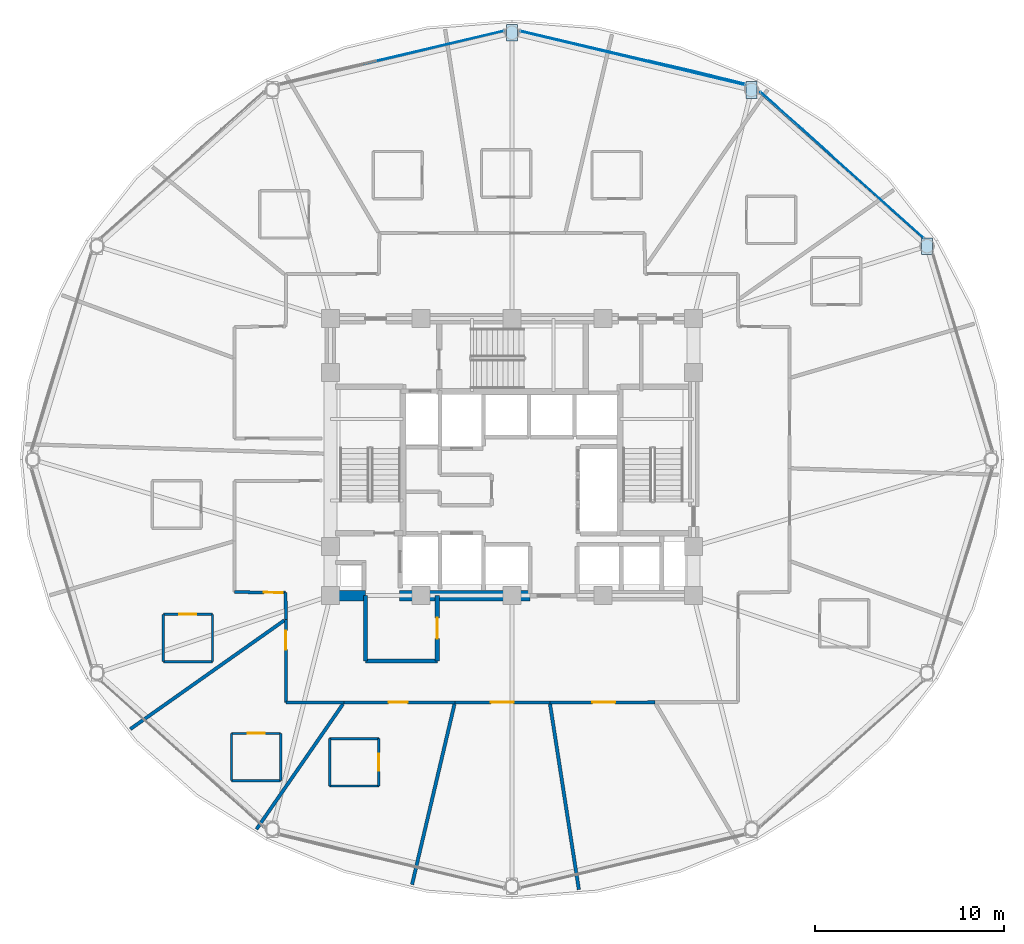
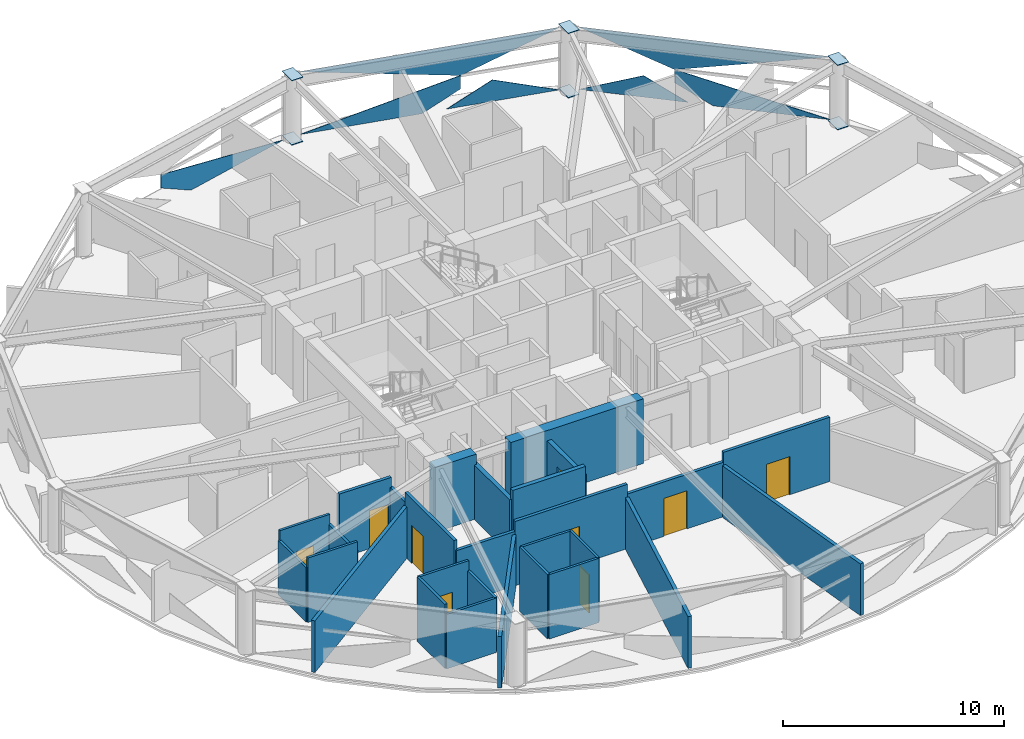
# One storey, part 23 of 31: 28 walls, 13 plates, 9 doors, 9 openings, 3 elements without a shape of their own.
"""IFC4 building model written with IfcOpenShell, lengths in metres."""

from ifc_helpers import new_model, si_unit, direction, frame, frame_2d, origin, place, context, subcontext, project, spatial, polyline, rectangle, outline, extrude, material, layer, layer_set, type_object, element, fill, aggregate, save


model = new_model("IFC4")

# Units and contexts
model_context = context("Model", 3, precision=1e-05, world=origin(), true_north=direction((0.0, 1.0)))
body_context = subcontext(model_context, "Body", "Model", "MODEL_VIEW")
ifc_project = project(units=[si_unit("LENGTHUNIT", "METRE"), si_unit("AREAUNIT", "SQUARE_METRE"), si_unit("VOLUMEUNIT", "CUBIC_METRE"), si_unit("PLANEANGLEUNIT", "RADIAN"), si_unit("MASSUNIT", "GRAM", prefix="KILO")], contexts=[model_context])

# Site, building, storey
site_placement = place(None, origin())
site = spatial("IfcSite", under=ifc_project, at=site_placement, CompositionType="ELEMENT")
building_placement = place(site_placement, origin())
building = spatial("IfcBuilding", under=site, at=building_placement, Name="Vantalir Tower", CompositionType="ELEMENT")
storey_placement = place(building_placement, frame((0.0, 0.0, 115.949951171875)))
storey = spatial("IfcBuildingStorey", under=building, at=storey_placement, Name="L28", CompositionType="ELEMENT", Elevation=115.949951171875)

# Curtain wall, plates
ifc_material_1 = material(Name="Champagne-silver PVDF aluminium and double-silver Low-E glass", Category="aluminium")
ifc_layer_1 = layer(ifc_material_1, 0.199951171875)
ifc_layer_set_1 = layer_set([ifc_layer_1], Name="Champagne-silver PVDF aluminium and double-silver Low-E glass")
curtain_wall_type = type_object("IfcCurtainWallType", Name="CW-DIAMOND-Z2", PredefinedType="USERDEFINED", material=ifc_layer_set_1)
curtain_wall_1_placement = place(storey_placement, origin())
curtain_wall_1 = element("IfcCurtainWall", 1, at=curtain_wall_1_placement, inside=storey, type_object=curtain_wall_type, Name="L28 Quilted Pyramid-Diamond Curtain Wall S02", ObjectType="UNITISED CURTAIN WALL", PredefinedType="USERDEFINED")
ifc_material_2 = material(Name="Double-silver Low-E laminated glass IGU", Category="glass")
ifc_layer_2 = layer(ifc_material_2, 0.028076171875)
ifc_layer_set_2 = layer_set([ifc_layer_2], Name="Double-silver Low-E laminated glass IGU")
plate_type_1 = type_object("IfcPlateType", Name="CWP-IGU-28", PredefinedType="CURTAIN_PANEL", material=ifc_layer_set_2)
plate_1_placement = place(storey_placement, frame((53.2705078125, 36.6806640625, 0.04638671875), z_axis=(-0.665290143646, -0.746458857155, 0.013718576517), x_axis=(-0.746528694055, 0.66535321965, 4.5328392e-05)))
plate_1 = element("IfcPlate", 2, at=plate_1_placement, type_object=plate_type_1, Name="CW-L28-S02 Pyramid Diamond Facet 1L", PredefinedType="CURTAIN_PANEL", context=body_context, shape_type="SweptSolid", body=[
    extrude(outline(polyline([(0.0, 0.0), (5.421682594949286, -1.328147661294743e-17), (7.190073092541649, -1.0039189500942471), (7.190220527218833, -1.7268889847502913), (0.0, 0.0)])), origin(), (0.0, 0.0, -1.0), 0.028076171875),
])
plate_2_placement = place(storey_placement, frame((48.382568359375, 41.080078125, 0.046142578125), z_axis=(-0.665294675224, -0.746455386297, 0.013687636298), x_axis=(-0.74652532085, 0.665357005923, 0.0)))
plate_2 = element("IfcPlate", 3, at=plate_2_placement, type_object=plate_type_1, Name="CW-L28-S02 Pyramid Diamond Facet 1L Infill Light", PredefinedType="CURTAIN_PANEL", context=body_context, shape_type="SweptSolid", body=[
    extrude(outline(polyline([(0.0, 0.0), (5.032102317172002, 0.0), (2.051972203277278, -1.1649040501815868), (0.0, 0.0)])), origin(), (0.0, 0.0, -1.0), 0.028076171875),
])
plate_3_placement = place(storey_placement, frame((44.604736328125, 44.404296875, 3.5234375), z_axis=(0.66529752374, 0.746451806469, 0.013744290602), x_axis=(0.746522128378, -0.665360587501, 2.1031755e-05)))
plate_3 = element("IfcPlate", 4, at=plate_3_placement, type_object=plate_type_1, Name="CW-L28-S02 Pyramid Diamond Facet 2U", PredefinedType="CURTAIN_PANEL", context=body_context, shape_type="SweptSolid", body=[
    extrude(outline(polyline([(0.0, 0.0), (11.60819104345454, 4.472333961502706e-18), (4.418012237357074, 1.727062693102279), (0.0, 0.0)])), origin(), (0.0, 0.0, -1.0), 0.028076171875),
])
aggregate(curtain_wall_1, [plate_1, plate_2, plate_3])

curtain_wall_2_placement = place(storey_placement, origin())
curtain_wall_2 = element("IfcCurtainWall", 5, at=curtain_wall_2_placement, inside=storey, type_object=curtain_wall_type, Name="L28 Quilted Pyramid-Diamond Curtain Wall S03", ObjectType="UNITISED CURTAIN WALL", PredefinedType="USERDEFINED")
plate_4_placement = place(storey_placement, frame((37.5185546875, 46.318359375, 0.04638671875), z_axis=(-0.232319339622, -0.972541707156, 0.013796821329), x_axis=(-0.972634283112, 0.232341454147, 8.13e-09)))
plate_4 = element("IfcPlate", 6, at=plate_4_placement, type_object=plate_type_1, Name="CW-L28-S03 Pyramid Diamond Facet 1L", PredefinedType="CURTAIN_PANEL", context=body_context, shape_type="SweptSolid", body=[
    extrude(outline(polyline([(0.0, 0.0), (5.73306201174435, 0.0), (-1.8367177744698786, -1.7274593575446844), (-1.8366121444979258, -0.9976536126287018), (0.0, 0.0)])), origin(), (0.0, 0.0, -1.0), 0.028076171875),
])
plate_5_placement = place(storey_placement, frame((43.830078125, 44.84375, 0.046142578125), z_axis=(-0.232309962933, -0.972544053885, 0.013789284797), x_axis=(-0.972636528964, 0.2323320523, 0.0)))
plate_5 = element("IfcPlate", 7, at=plate_5_placement, type_object=plate_type_1, Name="CW-L28-S03 Pyramid Diamond Facet 1L Infill Light", PredefinedType="CURTAIN_PANEL", context=body_context, shape_type="SweptSolid", body=[
    extrude(outline(polyline([(0.0, 0.0), (5.287757814042398, 0.0), (3.1386969486796428, -1.1671031518248731), (0.0, 0.0)])), origin(), (0.0, 0.0, -1.0), 0.028076171875),
])
plate_6_placement = place(storey_placement, frame((31.9423828125, 47.650390625, 3.523681640625), z_axis=(0.232299697518, 0.972547696452, 0.013705059649), x_axis=(0.972639108939, -0.232321250348, -1.9988062e-05)))
plate_6 = element("IfcPlate", 8, at=plate_6_placement, type_object=plate_type_1, Name="CW-L28-S03 Pyramid Diamond Facet 2U", PredefinedType="CURTAIN_PANEL", context=body_context, shape_type="SweptSolid", body=[
    extrude(outline(polyline([(0.0, 0.0), (12.214321677942559, 1.3552527156068805e-18), (7.569814817392175, 1.727305842677403), (0.0, 0.0)])), origin(), (0.0, 0.0, -1.0), 0.028076171875),
])
aggregate(curtain_wall_2, [plate_4, plate_5, plate_6])

# Curtain wall, plate
curtain_wall_3_placement = place(storey_placement, origin())
curtain_wall_3 = element("IfcCurtainWall", 9, at=curtain_wall_3_placement, inside=storey, type_object=curtain_wall_type, Name="L28 Quilted Pyramid-Diamond Curtain Wall S04", ObjectType="UNITISED CURTAIN WALL", PredefinedType="USERDEFINED")
plate_7_placement = place(storey_placement, frame((31.0576171875, 47.650390625, 0.04638671875), z_axis=(0.232319339622, -0.972541707156, 0.013796821329), x_axis=(-0.972634283112, -0.232341454147, -8.13e-09)))
plate_7 = element("IfcPlate", 10, at=plate_7_placement, type_object=plate_type_1, Name="CW-L28-S04 Pyramid Diamond Facet 1L", PredefinedType="CURTAIN_PANEL", context=body_context, shape_type="SweptSolid", body=[
    extrude(outline(polyline([(0.0, 0.0), (5.73306201174435, 0.0), (7.569674156242275, -0.9976536126287018), (7.569779786214228, -1.7274593575446844), (0.0, 0.0)])), origin(), (0.0, 0.0, -1.0), 0.028076171875),
])
aggregate(curtain_wall_3, [plate_7])

# Plates
ifc_material_3 = material(Name="Steel S460", Category="steel")
ifc_layer_3 = layer(ifc_material_3, 0.035888671875)
ifc_layer_set_3 = layer_set([ifc_layer_3], Name="Steel S460")
plate_type_2 = type_object("IfcPlateType", Name="PLT-KN-Z2", PredefinedType="USERDEFINED", material=ifc_layer_set_3)
for number, where, z_axis, x_axis, name in (
    (11, (53.155029296875, 36.722900390625, 3.59814453125), (0.0, 0.0, 1.0), (0.0, -1.0, 0.0), "L28 Ring Column Top Cap RC02"),
    (12, (53.155029296875, 36.722900390625, 0.052978515625), (0.0, 0.0, 1.0), (0.0, -1.0, 0.0), "L28 Ring Column Base Cap RC02"),
    (13, (43.8798828125, 44.98291015625, 3.59814453125), (0.0, 0.0, 1.0), (0.0, -1.0, 0.0), "L28 Ring Column Top Cap RC03"),
    (14, (43.8798828125, 44.98291015625, 0.052978515625), (0.0, 0.0, 1.0), (0.0, -1.0, 0.0), "L28 Ring Column Base Cap RC03"),
):
    element("IfcPlate", number, at=place(storey_placement, frame(where, z_axis=z_axis, x_axis=x_axis)), inside=storey, type_object=plate_type_2, Name=name, ObjectType="FLANGE_PLATE", PredefinedType="USERDEFINED", context=body_context, shape_type="SweptSolid", body=[
        extrude(outline(polyline([(0.0, 0.0), (0.8798828125, 0.0), (0.8798828125, 0.580078125), (0.0, 0.580078125), (0.0, 0.0)])), origin(), (0.0, 0.0, -1.0), 0.035888671875),
    ])
for number, where, z_axis, x_axis, name in (
    (15, (31.2099609375, 48.006103515625, 3.59814453125), (0.0, 0.0, 1.0), (0.0, -1.0, 0.0), "L28 Ring Column Top Cap RC04"),
    (16, (31.2099609375, 48.006103515625, 0.052978515625), (0.0, 0.0, 1.0), (0.0, -1.0, 0.0), "L28 Ring Column Base Cap RC04"),
):
    element("IfcPlate", number, at=place(storey_placement, frame(where, z_axis=z_axis, x_axis=x_axis)), inside=storey, type_object=plate_type_2, Name=name, ObjectType="FLANGE_PLATE", PredefinedType="USERDEFINED", context=body_context, shape_type="SweptSolid", body=[
        extrude(outline(polyline([(0.0, 0.0), (0.880126953125, 0.0), (0.880126953125, 0.580078125), (0.0, 0.580078125), (0.0, 0.0)])), origin(), (0.0, 0.0, -1.0), 0.035888671875),
    ])

# Wall
ifc_material_4 = material(Name="Moisture-resistant en-suite partition", Category="gypsum")
ifc_layer_4 = layer(ifc_material_4, 0.125)
ifc_layer_set_4 = layer_set([ifc_layer_4], Name="Moisture-resistant en-suite partition")
wall_type_1 = type_object("IfcWallType", Name="WL-BATH-125", PredefinedType="PARTITIONING", material=ifc_layer_set_4)
wall_1_placement = place(storey_placement, frame((13.06591796875, 14.31689453125, 0.0), z_axis=(0.0, 0.0, 1.0), x_axis=(1.0, 0.0, 0.0)))
element("IfcWall", 17, at=wall_1_placement, inside=storey, type_object=wall_type_1, Name="L28 En-suite 10 South Wall", PredefinedType="PARTITIONING", context=body_context, shape_type="SweptSolid", body=[
    extrude(rectangle(XDim=2.60009765625, YDim=0.125, at=frame_2d((1.300048828125, 0.0))), origin(), (0.0, 0.0, 1.0), 3.550048828125),
])

# Wall, opening, door
wall_2_placement = place(storey_placement, frame((13.06591796875, 16.81689453125, 0.0), z_axis=(0.0, 0.0, 1.0), x_axis=(1.0, 0.0, 0.0)))
wall_2 = element("IfcWall", 18, at=wall_2_placement, inside=storey, type_object=wall_type_1, Name="L28 En-suite 10 North Wall", PredefinedType="PARTITIONING", context=body_context, shape_type="SweptSolid", body=[
    extrude(rectangle(XDim=2.60009765625, YDim=0.125, at=frame_2d((1.300048828125, 0.0))), origin(), (0.0, 0.0, 1.0), 3.550048828125),
])
opening_1_placement = place(wall_2_placement, frame((0.85009765625, 0.0, 0.0)))
opening_1 = element("IfcOpeningElement", 19, at=opening_1_placement, cuts=wall_2, Name="Opening D-WC", PredefinedType="OPENING", context=body_context, shape_type="SweptSolid", body=[
    extrude(rectangle(XDim=0.89990234375, YDim=2.10009765625, at=frame_2d((0.449951171875, 1.050048828125))), frame((0.0, 0.072509765625, 0.0), z_axis=(0.0, -1.0, 0.0), x_axis=(1.0, 0.0, 0.0)), (0.0, 0.0, 1.0), 0.14501953125),
])
ifc_material_5 = material(Name="Moisture-resistant hardwood door", Category="wood")
door_type_1 = type_object("IfcDoorType", Name="DR-ENSUITE-900", OperationType="NOTDEFINED", PredefinedType="DOOR", material=ifc_material_5)
door_1_placement = place(opening_1_placement, frame((0.89990234375, 0.0, 0.0), z_axis=(0.0, 0.0, 1.0), x_axis=(-1.0, 0.0, 0.0)))
door_1 = element("IfcDoor", 20, at=door_1_placement, inside=storey, type_object=door_type_1, Name="L28 En-suite 10 Door", OperationType="SINGLE_SWING_LEFT", OverallHeight=2.10009765625, OverallWidth=0.89990234375, PredefinedType="DOOR", context=body_context, shape_type="SweptSolid", body=[
    extrude(rectangle(XDim=0.89990234375, YDim=2.10009765625, at=frame_2d((0.449951171875, 1.050048828125))), frame((0.0, 0.02490234375, 0.0), z_axis=(0.0, -1.0, 0.0), x_axis=(1.0, 0.0, 0.0)), (0.0, 0.0, 1.0), 0.050048828125),
])
fill(opening_1, door_1)

# Walls
for number, where, z_axis, x_axis, name in (
    (21, (13.06591796875, 14.31689453125, 0.0), (0.0, 0.0, 1.0), (0.0, 1.0, 0.0), "L28 En-suite 10 West Wall"),
    (22, (15.666015625, 14.31689453125, 0.0), (0.0, 0.0, 1.0), (0.0, 1.0, 0.0), "L28 En-suite 10 East Wall"),
):
    element("IfcWall", number, at=place(storey_placement, frame(where, z_axis=z_axis, x_axis=x_axis)), inside=storey, type_object=wall_type_1, Name=name, PredefinedType="PARTITIONING", context=body_context, shape_type="SweptSolid", body=[
        extrude(rectangle(XDim=2.5, YDim=0.125, at=frame_2d((1.25, 0.0))), origin(), (0.0, 0.0, 1.0), 3.006103515625),
    ])
wall_3_placement = place(storey_placement, frame((16.6708984375, 8.01611328125, 0.0), z_axis=(0.0, 0.0, 1.0), x_axis=(1.0, 0.0, 0.0)))
element("IfcWall", 23, at=wall_3_placement, inside=storey, type_object=wall_type_1, Name="L28 En-suite 11 South Wall", PredefinedType="PARTITIONING", context=body_context, shape_type="SweptSolid", body=[
    extrude(rectangle(XDim=2.60009765625, YDim=0.125, at=frame_2d((1.300048828125, 0.0))), origin(), (0.0, 0.0, 1.0), 3.006103515625),
])

# Wall, opening, door
wall_4_placement = place(storey_placement, frame((16.6708984375, 10.51611328125, 0.0), z_axis=(0.0, 0.0, 1.0), x_axis=(1.0, 0.0, 0.0)))
wall_4 = element("IfcWall", 24, at=wall_4_placement, inside=storey, type_object=wall_type_1, Name="L28 En-suite 11 North Wall", PredefinedType="PARTITIONING", context=body_context, shape_type="SweptSolid", body=[
    extrude(rectangle(XDim=2.60009765625, YDim=0.125, at=frame_2d((1.300048828125, 0.0))), origin(), (0.0, 0.0, 1.0), 3.550048828125),
])
opening_2_placement = place(wall_4_placement, frame((0.85009765625, 0.0, 0.0)))
opening_2 = element("IfcOpeningElement", 25, at=opening_2_placement, cuts=wall_4, Name="Opening D-WC", PredefinedType="OPENING", context=body_context, shape_type="SweptSolid", body=[
    extrude(rectangle(XDim=0.89990234375, YDim=2.10009765625, at=frame_2d((0.449951171875, 1.050048828125))), frame((0.0, 0.072509765625, 0.0), z_axis=(0.0, -1.0, 0.0), x_axis=(1.0, 0.0, 0.0)), (0.0, 0.0, 1.0), 0.14501953125),
])
door_2_placement = place(opening_2_placement, frame((0.89990234375, 0.0, 0.0), z_axis=(0.0, 0.0, 1.0), x_axis=(-1.0, 0.0, 0.0)))
door_2 = element("IfcDoor", 26, at=door_2_placement, inside=storey, type_object=door_type_1, Name="L28 En-suite 11 Door", OperationType="SINGLE_SWING_RIGHT", OverallHeight=2.10009765625, OverallWidth=0.89990234375, PredefinedType="DOOR", context=body_context, shape_type="SweptSolid", body=[
    extrude(rectangle(XDim=0.89990234375, YDim=2.10009765625, at=frame_2d((0.449951171875, 1.050048828125))), frame((0.0, 0.02490234375, 0.0), z_axis=(0.0, -1.0, 0.0), x_axis=(1.0, 0.0, 0.0)), (0.0, 0.0, 1.0), 0.050048828125),
])
fill(opening_2, door_2)

# Walls
wall_5_placement = place(storey_placement, frame((16.6708984375, 8.01611328125, 0.0), z_axis=(0.0, 0.0, 1.0), x_axis=(0.0, 1.0, 0.0)))
element("IfcWall", 27, at=wall_5_placement, inside=storey, type_object=wall_type_1, Name="L28 En-suite 11 West Wall", PredefinedType="PARTITIONING", context=body_context, shape_type="SweptSolid", body=[
    extrude(rectangle(XDim=2.5, YDim=0.125, at=frame_2d((1.25, 0.0))), origin(), (0.0, 0.0, 1.0), 3.550048828125),
])
wall_6_placement = place(storey_placement, frame((19.27099609375, 8.01611328125, 0.0), z_axis=(0.0, 0.0, 1.0), x_axis=(0.0, 1.0, 0.0)))
element("IfcWall", 28, at=wall_6_placement, inside=storey, type_object=wall_type_1, Name="L28 En-suite 11 East Wall", PredefinedType="PARTITIONING", context=body_context, shape_type="SweptSolid", body=[
    extrude(rectangle(XDim=2.5, YDim=0.125, at=frame_2d((1.25, 0.0))), origin(), (0.0, 0.0, 1.0), 3.006103515625),
])
for number, where, z_axis, x_axis, name in (
    (29, (21.85693359375, 7.738037109375, 0.0), (0.0, 0.0, 1.0), (1.0, 0.0, 0.0), "L28 En-suite 12 South Wall"),
    (30, (21.85693359375, 10.238037109375, 0.0), (0.0, 0.0, 1.0), (1.0, 0.0, 0.0), "L28 En-suite 12 North Wall"),
):
    element("IfcWall", number, at=place(storey_placement, frame(where, z_axis=z_axis, x_axis=x_axis)), inside=storey, type_object=wall_type_1, Name=name, PredefinedType="PARTITIONING", context=body_context, shape_type="SweptSolid", body=[
        extrude(rectangle(XDim=2.60009765625, YDim=0.125, at=frame_2d((1.300048828125, 0.0))), origin(), (0.0, 0.0, 1.0), 3.550048828125),
    ])
wall_7_placement = place(storey_placement, frame((21.85693359375, 7.738037109375, 0.0), z_axis=(0.0, 0.0, 1.0), x_axis=(0.0, 1.0, 0.0)))
element("IfcWall", 31, at=wall_7_placement, inside=storey, type_object=wall_type_1, Name="L28 En-suite 12 West Wall", PredefinedType="PARTITIONING", context=body_context, shape_type="SweptSolid", body=[
    extrude(rectangle(XDim=2.5, YDim=0.125, at=frame_2d((1.25, 0.0))), origin(), (0.0, 0.0, 1.0), 3.550048828125),
])

# Wall, opening, door
wall_8_placement = place(storey_placement, frame((24.45703125, 7.738037109375, 0.0), z_axis=(0.0, 0.0, 1.0), x_axis=(0.0, 1.0, 0.0)))
wall_8 = element("IfcWall", 32, at=wall_8_placement, inside=storey, type_object=wall_type_1, Name="L28 En-suite 12 East Wall", PredefinedType="PARTITIONING", context=body_context, shape_type="SweptSolid", body=[
    extrude(rectangle(XDim=2.5, YDim=0.125, at=frame_2d((1.25, 0.0))), origin(), (0.0, 0.0, 1.0), 3.550048828125),
])
opening_3_placement = place(wall_8_placement, frame((0.800048828125, 0.0, 0.0)))
opening_3 = element("IfcOpeningElement", 33, at=opening_3_placement, cuts=wall_8, Name="Opening D-WC", PredefinedType="OPENING", context=body_context, shape_type="SweptSolid", body=[
    extrude(rectangle(XDim=0.89990234375, YDim=2.10009765625, at=frame_2d((0.449951171875, 1.050048828125))), frame((0.0, 0.072509765625, 0.0), z_axis=(0.0, -1.0, 0.0), x_axis=(1.0, 0.0, 0.0)), (0.0, 0.0, 1.0), 0.14501953125),
])
door_3_placement = place(opening_3_placement, origin())
door_3 = element("IfcDoor", 34, at=door_3_placement, inside=storey, type_object=door_type_1, Name="L28 En-suite 12 Door", OperationType="SINGLE_SWING_LEFT", OverallHeight=2.10009765625, OverallWidth=0.89990234375, PredefinedType="DOOR", context=body_context, shape_type="SweptSolid", body=[
    extrude(rectangle(XDim=0.89990234375, YDim=2.10009765625, at=frame_2d((0.449951171875, 1.050048828125))), frame((0.0, 0.02490234375, 0.0), z_axis=(0.0, -1.0, 0.0), x_axis=(1.0, 0.0, 0.0)), (0.0, 0.0, 1.0), 0.050048828125),
])
fill(opening_3, door_3)

# Walls
ifc_material_6 = material(Name="Concrete C60/75", Category="concrete")
ifc_layer_5 = layer(ifc_material_6, 0.550048828125)
ifc_layer_set_5 = layer_set([ifc_layer_5], Name="Concrete C60/75")
wall_type_2 = type_object("IfcWallType", Name="WL-CORE-550", PredefinedType="SHEAR", material=ifc_layer_set_5)
wall_9_placement = place(storey_placement, frame((21.625, 17.800048828125, 0.0), z_axis=(0.0, 0.0, 1.0), x_axis=(1.0, 0.0, 0.0)))
element("IfcWall", 35, at=wall_9_placement, inside=storey, type_object=wall_type_2, Name="L28 Core Shear Wall South-West", PredefinedType="SHEAR", context=body_context, shape_type="SweptSolid", body=[
    extrude(rectangle(XDim=2.125, YDim=0.550048828125, at=frame_2d((1.0625, 0.0))), origin(), (0.0, 0.0, 1.0), 3.570068359375),
])
wall_10_placement = place(storey_placement, frame((25.550048828125, 17.800048828125, 0.0), z_axis=(0.0, 0.0, 1.0), x_axis=(1.0, 0.0, 0.0)))
element("IfcWall", 36, at=wall_10_placement, inside=storey, type_object=wall_type_2, Name="L28 Core Shear Wall South-Mid", PredefinedType="SHEAR", context=body_context, shape_type="SweptSolid", body=[
    extrude(rectangle(XDim=6.89990234375, YDim=0.550048828125, at=frame_2d((3.449951171875, 0.0))), origin(), (0.0, 0.0, 1.0), 3.570068359375),
])

# Wall, opening, door
ifc_material_7 = material(Name="Fire-rated hotel corridor acoustic partition", Category="gypsum")
ifc_layer_6 = layer(ifc_material_7, 0.159912109375)
ifc_layer_set_6 = layer_set([ifc_layer_6], Name="Fire-rated hotel corridor acoustic partition")
wall_type_3 = type_object("IfcWallType", Name="WL-CORR-160", PredefinedType="PARTITIONING", material=ifc_layer_set_6)
wall_11_placement = place(storey_placement, frame((39.049072265625, 12.166015625, 0.0), z_axis=(0.0, 0.0, 1.0), x_axis=(-0.999999860825, -0.000527588408, 0.0)))
wall_11 = element("IfcWall", 37, at=wall_11_placement, inside=storey, type_object=wall_type_3, Name="L28 Corridor Partition 24", PredefinedType="PARTITIONING", context=body_context, shape_type="SweptSolid", body=[
    extrude(rectangle(XDim=5.552978515625, YDim=0.159912109375, at=frame_2d((2.7763671875, 0.0))), origin(), (0.0, 0.0, 1.0), 3.550048828125),
])
opening_4_placement = place(wall_11_placement, frame((2.10205078125, 0.0, 0.0)))
opening_4 = element("IfcOpeningElement", 38, at=opening_4_placement, cuts=wall_11, Name="Opening D-STE", PredefinedType="OPENING", context=body_context, shape_type="SweptSolid", body=[
    extrude(rectangle(XDim=1.199951171875, YDim=2.10009765625, at=frame_2d((0.60009765625, 1.050048828125))), frame((0.0, 0.08984375, 0.0), z_axis=(0.0, -1.0, 0.0), x_axis=(1.0, 0.0, 0.0)), (0.0, 0.0, 1.0), 0.179931640625),
])
ifc_material_8 = material(Name="Solid-core teak veneer suite entrance door", Category="wood")
door_type_2 = type_object("IfcDoorType", Name="DR-SUITE-ENTRY-1200", OperationType="NOTDEFINED", PredefinedType="DOOR", material=ifc_material_8)
door_4_placement = place(opening_4_placement, origin())
door_4 = element("IfcDoor", 39, at=door_4_placement, inside=storey, type_object=door_type_2, Name="L28 Executive Sky Boardroom 14 Door", OperationType="SINGLE_SWING_LEFT", OverallHeight=2.10009765625, OverallWidth=1.199951171875, PredefinedType="DOOR", context=body_context, shape_type="SweptSolid", body=[
    extrude(rectangle(XDim=1.199951171875, YDim=2.10009765625, at=frame_2d((0.60009765625, 1.050048828125))), frame((0.0, 0.02490234375, 0.0), z_axis=(0.0, -1.0, 0.0), x_axis=(1.0, 0.0, 0.0)), (0.0, 0.0, 1.0), 0.050048828125),
])
fill(opening_4, door_4)

wall_12_placement = place(storey_placement, frame((33.49609375, 12.1630859375, 0.0), z_axis=(0.0, 0.0, 1.0), x_axis=(-0.999999904022, -0.000438126723, 0.0)))
wall_12 = element("IfcWall", 40, at=wall_12_placement, inside=storey, type_object=wall_type_3, Name="L28 Corridor Partition 25", PredefinedType="PARTITIONING", context=body_context, shape_type="SweptSolid", body=[
    extrude(rectangle(XDim=5.01513671875, YDim=0.159912109375, at=frame_2d((2.507568359375, 0.0))), origin(), (0.0, 0.0, 1.0), 3.006103515625),
])
opening_5_placement = place(wall_12_placement, frame((1.907958984375, 0.0, 0.0)))
opening_5 = element("IfcOpeningElement", 41, at=opening_5_placement, cuts=wall_12, Name="Opening D-STE", PredefinedType="OPENING", context=body_context, shape_type="SweptSolid", body=[
    extrude(rectangle(XDim=1.199951171875, YDim=2.10009765625, at=frame_2d((0.60009765625, 1.050048828125))), frame((0.0, 0.08984375, 0.0), z_axis=(0.0, -1.0, 0.0), x_axis=(1.0, 0.0, 0.0)), (0.0, 0.0, 1.0), 0.179931640625),
])
door_5_placement = place(opening_5_placement, origin())
door_5 = element("IfcDoor", 42, at=door_5_placement, inside=storey, type_object=door_type_2, Name="L28 Club Reading Lounge 13 Door", OperationType="SINGLE_SWING_RIGHT", OverallHeight=2.10009765625, OverallWidth=1.199951171875, PredefinedType="DOOR", context=body_context, shape_type="SweptSolid", body=[
    extrude(rectangle(XDim=1.199951171875, YDim=2.10009765625, at=frame_2d((0.60009765625, 1.050048828125))), frame((0.0, 0.02490234375, 0.0), z_axis=(0.0, -1.0, 0.0), x_axis=(1.0, 0.0, 0.0)), (0.0, 0.0, 1.0), 0.050048828125),
])
fill(opening_5, door_5)

wall_13_placement = place(storey_placement, frame((28.48095703125, 12.160888671875, 0.0), z_axis=(0.0, 0.0, 1.0), x_axis=(-0.999999874896, -0.000500208358, 0.0)))
wall_13 = element("IfcWall", 43, at=wall_13_placement, inside=storey, type_object=wall_type_3, Name="L28 Corridor Partition 26", PredefinedType="PARTITIONING", context=body_context, shape_type="SweptSolid", body=[
    extrude(rectangle(XDim=5.85693359375, YDim=0.159912109375, at=frame_2d((2.928466796875, 0.0))), origin(), (0.0, 0.0, 1.0), 3.550048828125),
])
opening_6_placement = place(wall_13_placement, frame((2.501953125, 0.0, 0.0)))
opening_6 = element("IfcOpeningElement", 44, at=opening_6_placement, cuts=wall_13, Name="Opening D-GUEST", PredefinedType="OPENING", context=body_context, shape_type="SweptSolid", body=[
    extrude(rectangle(XDim=1.0, YDim=2.10009765625, at=frame_2d((0.5, 1.050048828125))), frame((0.0, 0.08984375, 0.0), z_axis=(0.0, -1.0, 0.0), x_axis=(1.0, 0.0, 0.0)), (0.0, 0.0, 1.0), 0.179931640625),
])
ifc_material_9 = material(Name="Solid-core teak veneer acoustic fire door", Category="wood")
door_type_3 = type_object("IfcDoorType", Name="DR-GUEST-ENTRY-1000", OperationType="NOTDEFINED", PredefinedType="DOOR", material=ifc_material_9)
door_6_placement = place(opening_6_placement, origin())
door_6 = element("IfcDoor", 45, at=door_6_placement, inside=storey, type_object=door_type_3, Name="L28 Twin Queen Hotel Room 12 Door", OperationType="SINGLE_SWING_LEFT", OverallHeight=2.10009765625, OverallWidth=1.0, PredefinedType="DOOR", context=body_context, shape_type="SweptSolid", body=[
    extrude(rectangle(XDim=1.0, YDim=2.10009765625, at=frame_2d((0.5, 1.050048828125))), frame((0.0, 0.02490234375, 0.0), z_axis=(0.0, -1.0, 0.0), x_axis=(1.0, 0.0, 0.0)), (0.0, 0.0, 1.0), 0.050048828125),
])
fill(opening_6, door_6)

# Wall
wall_14_placement = place(storey_placement, frame((22.6240234375, 12.157958984375, 0.0), z_axis=(0.0, 0.0, 1.0), x_axis=(-0.999999949441, -0.000317990285, 0.0)))
element("IfcWall", 46, at=wall_14_placement, inside=storey, type_object=wall_type_3, Name="L28 Corridor Partition 27", PredefinedType="PARTITIONING", context=body_context, shape_type="SweptSolid", body=[
    extrude(rectangle(XDim=3.071044921875, YDim=0.159912109375, at=frame_2d((1.53564453125, 0.0))), origin(), (0.0, 0.0, 1.0), 3.006103515625),
])

# Wall, opening, door
wall_15_placement = place(storey_placement, frame((19.552978515625, 12.156982421875, 0.0), z_axis=(0.0, 0.0, 1.0), x_axis=(-0.003166298982, 0.999994987263, 0.0)))
wall_15 = element("IfcWall", 47, at=wall_15_placement, inside=storey, type_object=wall_type_3, Name="L28 Corridor Partition 28", PredefinedType="PARTITIONING", context=body_context, shape_type="SweptSolid", body=[
    extrude(rectangle(XDim=4.39501953125, YDim=0.159912109375, at=frame_2d((2.197509765625, 0.0))), origin(), (0.0, 0.0, 1.0), 3.550048828125),
])
opening_7_placement = place(wall_15_placement, frame((2.7958984375, 0.0, 0.0)))
opening_7 = element("IfcOpeningElement", 48, at=opening_7_placement, cuts=wall_15, Name="Opening D-GUEST", PredefinedType="OPENING", context=body_context, shape_type="SweptSolid", body=[
    extrude(rectangle(XDim=1.0, YDim=2.10009765625, at=frame_2d((0.5, 1.050048828125))), frame((0.0, 0.08984375, 0.0), z_axis=(0.0, -1.0, 0.0), x_axis=(1.0, 0.0, 0.0)), (0.0, 0.0, 1.0), 0.179931640625),
])
door_7_placement = place(opening_7_placement, origin())
door_7 = element("IfcDoor", 49, at=door_7_placement, inside=storey, type_object=door_type_3, Name="L28 Deluxe King Hotel Room 11 Door", OperationType="SINGLE_SWING_RIGHT", OverallHeight=2.10009765625, OverallWidth=1.0, PredefinedType="DOOR", context=body_context, shape_type="SweptSolid", body=[
    extrude(rectangle(XDim=1.0, YDim=2.10009765625, at=frame_2d((0.5, 1.050048828125))), frame((0.0, 0.02490234375, 0.0), z_axis=(0.0, -1.0, 0.0), x_axis=(1.0, 0.0, 0.0)), (0.0, 0.0, 1.0), 0.050048828125),
])
fill(opening_7, door_7)

# Wall
wall_16_placement = place(storey_placement, frame((19.5390625, 16.552001953125, 0.0), z_axis=(0.0, 0.0, 1.0), x_axis=(-0.002947793678, 0.999995655247, 0.0)))
element("IfcWall", 50, at=wall_16_placement, inside=storey, type_object=wall_type_3, Name="L28 Corridor Partition 29", PredefinedType="PARTITIONING", context=body_context, shape_type="SweptSolid", body=[
    extrude(rectangle(XDim=1.407958984375, YDim=0.159912109375, at=frame_2d((0.7041015625, 0.0))), origin(), (0.0, 0.0, 1.0), 3.006103515625),
])

# Wall, opening, door
wall_17_placement = place(storey_placement, frame((19.534912109375, 17.9599609375, 0.0), z_axis=(0.0, 0.0, 1.0), x_axis=(-0.999930566304, 0.011783996418, 0.0)))
wall_17 = element("IfcWall", 51, at=wall_17_placement, inside=storey, type_object=wall_type_3, Name="L28 Corridor Partition 30", PredefinedType="PARTITIONING", context=body_context, shape_type="SweptSolid", body=[
    extrude(rectangle(XDim=2.714111328125, YDim=0.159912109375, at=frame_2d((1.35693359375, 0.0))), origin(), (0.0, 0.0, 1.0), 3.550048828125),
])
opening_8_placement = place(wall_17_placement, frame((0.159912109375, 0.0, 0.0)))
opening_8 = element("IfcOpeningElement", 52, at=opening_8_placement, cuts=wall_17, Name="Opening D-GUEST", PredefinedType="OPENING", context=body_context, shape_type="SweptSolid", body=[
    extrude(rectangle(XDim=1.0, YDim=2.10009765625, at=frame_2d((0.5, 1.050048828125))), frame((0.0, 0.08984375, 0.0), z_axis=(0.0, -1.0, 0.0), x_axis=(1.0, 0.0, 0.0)), (0.0, 0.0, 1.0), 0.179931640625),
])
door_8_placement = place(opening_8_placement, origin())
door_8 = element("IfcDoor", 53, at=door_8_placement, inside=storey, type_object=door_type_3, Name="L28 Deluxe King Hotel Room 10 Door", OperationType="SINGLE_SWING_LEFT", OverallHeight=2.10009765625, OverallWidth=1.0, PredefinedType="DOOR", context=body_context, shape_type="SweptSolid", body=[
    extrude(rectangle(XDim=1.0, YDim=2.10009765625, at=frame_2d((0.5, 1.050048828125))), frame((0.0, 0.02490234375, 0.0), z_axis=(0.0, -1.0, 0.0), x_axis=(1.0, 0.0, 0.0)), (0.0, 0.0, 1.0), 0.050048828125),
])
fill(opening_8, door_8)

# Walls
ifc_material_10 = material(Name="Concrete blockwork with fireboard lining", Category="masonry")
ifc_layer_7 = layer(ifc_material_10, 0.219970703125)
ifc_layer_set_7 = layer_set([ifc_layer_7], Name="Concrete blockwork with fireboard lining")
wall_type_4 = type_object("IfcWallType", Name="WL-FFL-220", PredefinedType="PARTITIONING", material=ifc_layer_set_7)
wall_18_placement = place(storey_placement, frame((23.75, 14.35009765625, 0.0), z_axis=(0.0, 0.0, 1.0), x_axis=(0.0, 1.0, 0.0)))
element("IfcWall", 54, at=wall_18_placement, inside=storey, type_object=wall_type_4, Name="L28 Firefighting Lobby West Outer W", PredefinedType="PARTITIONING", context=body_context, shape_type="SweptSolid", body=[
    extrude(rectangle(XDim=3.449951171875, YDim=0.219970703125, at=frame_2d((1.72509765625, 0.0))), origin(), (0.0, 0.0, 1.0), 3.006103515625),
])
wall_19_placement = place(storey_placement, frame((23.75, 14.35009765625, 0.0), z_axis=(0.0, 0.0, 1.0), x_axis=(1.0, 0.0, 0.0)))
element("IfcWall", 55, at=wall_19_placement, inside=storey, type_object=wall_type_4, Name="L28 Firefighting Lobby West South Wall", PredefinedType="PARTITIONING", context=body_context, shape_type="SweptSolid", body=[
    extrude(rectangle(XDim=3.800048828125, YDim=0.219970703125, at=frame_2d((1.89990234375, 0.0))), origin(), (0.0, 0.0, 1.0), 3.550048828125),
])

# Wall, opening, door
wall_20_placement = place(storey_placement, frame((27.550048828125, 14.35009765625, 0.0), z_axis=(0.0, 0.0, 1.0), x_axis=(0.0, 1.0, 0.0)))
wall_20 = element("IfcWall", 56, at=wall_20_placement, inside=storey, type_object=wall_type_4, Name="L28 Firefighting Lobby West East Wall", PredefinedType="PARTITIONING", context=body_context, shape_type="SweptSolid", body=[
    extrude(rectangle(XDim=3.449951171875, YDim=0.219970703125, at=frame_2d((1.72509765625, 0.0))), origin(), (0.0, 0.0, 1.0), 3.006103515625),
])
opening_9_placement = place(wall_20_placement, frame((1.175048828125, 0.0, 0.0)))
opening_9 = element("IfcOpeningElement", 57, at=opening_9_placement, cuts=wall_20, Name="Opening D-FFL", PredefinedType="OPENING", context=body_context, shape_type="SweptSolid", body=[
    extrude(rectangle(XDim=1.10009765625, YDim=2.10009765625, at=frame_2d((0.550048828125, 1.050048828125))), frame((0.0, 0.119873046875, 0.0), z_axis=(0.0, -1.0, 0.0), x_axis=(1.0, 0.0, 0.0)), (0.0, 0.0, 1.0), 0.239990234375),
])
ifc_material_11 = material(Name="Fire-rated acoustic steel door", Category="steel")
door_type_4 = type_object("IfcDoorType", Name="DR-FIRE-LOBBY-1100", OperationType="NOTDEFINED", PredefinedType="DOOR", material=ifc_material_11)
door_9_placement = place(opening_9_placement, origin())
door_9 = element("IfcDoor", 58, at=door_9_placement, inside=storey, type_object=door_type_4, Name="L28 Firefighting Lobby West Access Door", OperationType="SINGLE_SWING_LEFT", OverallHeight=2.10009765625, OverallWidth=1.10009765625, PredefinedType="DOOR", context=body_context, shape_type="SweptSolid", body=[
    extrude(rectangle(XDim=1.10009765625, YDim=2.10009765625, at=frame_2d((0.550048828125, 1.050048828125))), frame((0.0, 0.02490234375, 0.0), z_axis=(0.0, -1.0, 0.0), x_axis=(1.0, 0.0, 0.0)), (0.0, 0.0, 1.0), 0.050048828125),
])
fill(opening_9, door_9)

# Walls
ifc_material_12 = material(Name="Twin-stud acoustic fire-rated gypsum partition", Category="gypsum")
ifc_layer_8 = layer(ifc_material_12, 0.179931640625)
ifc_layer_set_8 = layer_set([ifc_layer_8], Name="Twin-stud acoustic fire-rated gypsum partition")
wall_type_5 = type_object("IfcWallType", Name="WL-GUEST-180", PredefinedType="PARTITIONING", material=ifc_layer_set_8)
wall_21_placement = place(storey_placement, frame((19.4599609375, 16.49609375, 0.0), z_axis=(0.0, 0.0, 1.0), x_axis=(-0.816848359807, -0.576852456942, 0.0)))
element("IfcWall", 59, at=wall_21_placement, inside=storey, type_object=wall_type_5, Name="L28 Radial Suite Partition 11", PredefinedType="PARTITIONING", context=body_context, shape_type="SweptSolid", body=[
    extrude(rectangle(XDim=9.96630859375, YDim=0.179931640625, at=frame_2d((4.983154296875, 0.0))), origin(), (0.0, 0.0, 1.0), 2.85107421875),
])
wall_22_placement = place(storey_placement, frame((22.56591796875, 12.074951171875, 0.0), z_axis=(0.0, 0.0, 1.0), x_axis=(-0.568571085833, -0.822634135175, 0.0)))
element("IfcWall", 60, at=wall_22_placement, inside=storey, type_object=wall_type_5, Name="L28 Radial Suite Partition 12", PredefinedType="PARTITIONING", context=body_context, shape_type="SweptSolid", body=[
    extrude(rectangle(XDim=8.0498046875, YDim=0.179931640625, at=frame_2d((4.02490234375, 0.0))), origin(), (0.0, 0.0, 1.0), 2.85107421875),
])
wall_23_placement = place(storey_placement, frame((28.4609375, 12.074951171875, 0.0), z_axis=(0.0, 0.0, 1.0), x_axis=(-0.228971352458, -0.973433161421, 0.0)))
element("IfcWall", 61, at=wall_23_placement, inside=storey, type_object=wall_type_5, Name="L28 Radial Suite Partition 13", PredefinedType="PARTITIONING", context=body_context, shape_type="SweptSolid", body=[
    extrude(rectangle(XDim=9.808349609375, YDim=0.179931640625, at=frame_2d((4.904296875, 0.0))), origin(), (0.0, 0.0, 1.0), 2.85107421875),
])
wall_24_placement = place(storey_placement, frame((33.510009765625, 12.074951171875, 0.0), z_axis=(0.0, 0.0, 1.0), x_axis=(0.153619544755, -0.988130070117, 0.0)))
element("IfcWall", 62, at=wall_24_placement, inside=storey, type_object=wall_type_5, Name="L28 Radial Suite Partition 14", PredefinedType="PARTITIONING", context=body_context, shape_type="SweptSolid", body=[
    extrude(rectangle(XDim=9.932861328125, YDim=0.179931640625, at=frame_2d((4.96630859375, 0.0))), origin(), (0.0, 0.0, 1.0), 2.85107421875),
])

save(model, "model.ifc")
